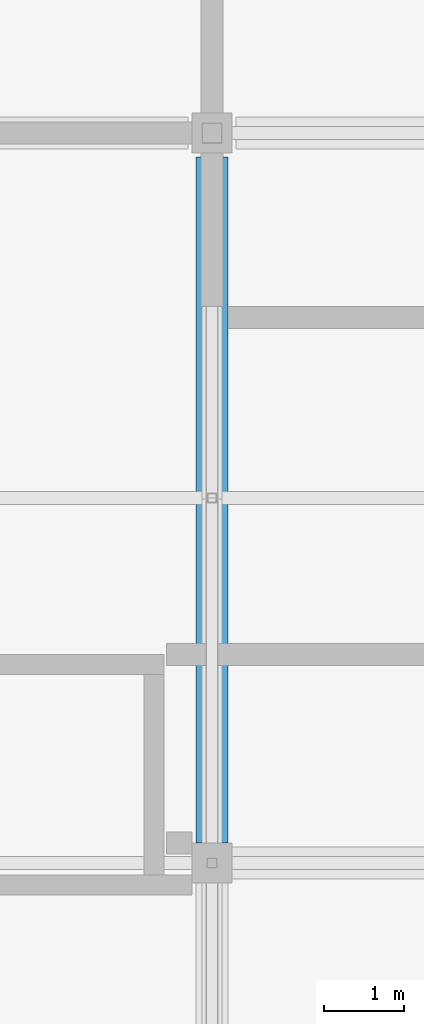
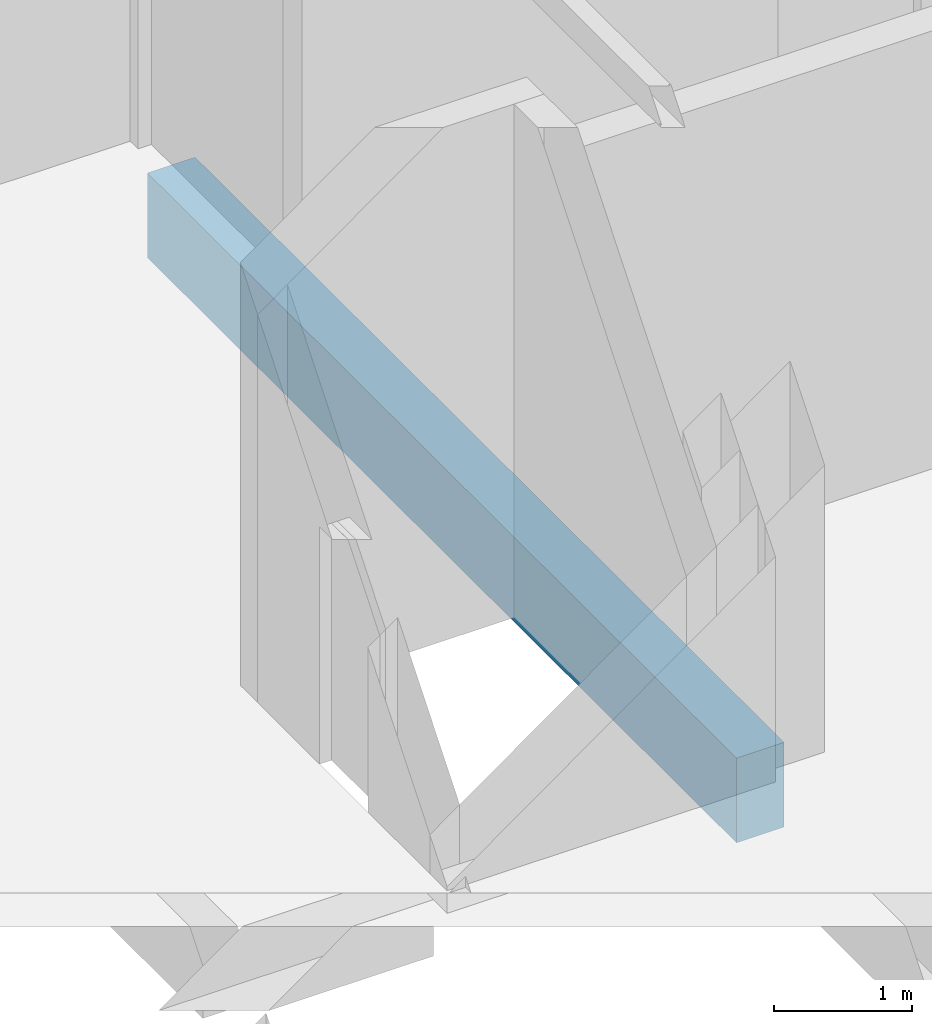
# One storey, part 75 of 500: 1 beam.
"""IFC4 building model written with IfcOpenShell, lengths in metres."""

from ifc_helpers import new_model, si_unit, direction, frame, origin, origin_2d, place, context, subcontext, project, spatial, rectangle, extrude, material, material_profile, profile_set, type_object, element, save


model = new_model("IFC4")

# Units and contexts
model_context = context("Model", 3, precision=1e-05, world=origin(), true_north=direction((0.0, 1.0)))
body_context = subcontext(model_context, "Body", "Model", "MODEL_VIEW")
ifc_project = project(units=[si_unit("LENGTHUNIT", "METRE"), si_unit("AREAUNIT", "SQUARE_METRE"), si_unit("VOLUMEUNIT", "CUBIC_METRE"), si_unit("PLANEANGLEUNIT", "RADIAN"), si_unit("MASSUNIT", "GRAM", prefix="KILO")], contexts=[model_context])

# Site, building, storey
site_placement = place(None, origin())
site = spatial("IfcSite", under=ifc_project, at=site_placement, CompositionType="ELEMENT")
building_placement = place(site_placement, origin())
building = spatial("IfcBuilding", under=site, at=building_placement, Name="Shirokan Park Arena", CompositionType="ELEMENT")
storey_placement = place(building_placement, frame((0.0, 0.0, 29.1201171875)))
storey = spatial("IfcBuildingStorey", under=building, at=storey_placement, Name="L06", CompositionType="ELEMENT", Elevation=29.1201171875)

# Beam
ifc_material = material(Name="Concrete C35", Category="concrete")
ifc_material_profile = material_profile(ifc_material, rectangle(XDim=0.39990234375, YDim=0.75, at=origin_2d()), Name="400x750")
ifc_profile_set = profile_set([ifc_material_profile], Name="Concrete C35")
beam_type = type_object("IfcBeamType", Name="RC girder 400x750", PredefinedType="BEAM", material=ifc_profile_set)
beam_placement = place(storey_placement, frame((27.300048828125, 27.550048828125, -0.5751953125), z_axis=(0.0, 1.0, 0.0), x_axis=(-1.0, 0.0, 0.0)))
element("IfcBeam", 1, at=beam_placement, inside=storey, type_object=beam_type, Name="Girder 4D-4E L06", PredefinedType="BEAM", context=body_context, shape_type="SweptSolid", body=[
    extrude(rectangle(XDim=0.39990234375, YDim=0.75, at=origin_2d()), origin(), (0.0, 0.0, 1.0), 8.5498046875),
])

save(model, "model.ifc")
